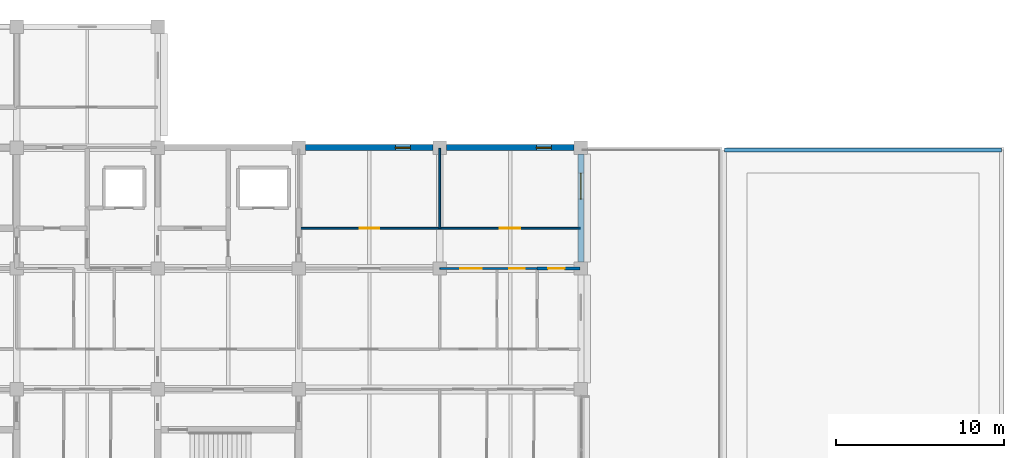
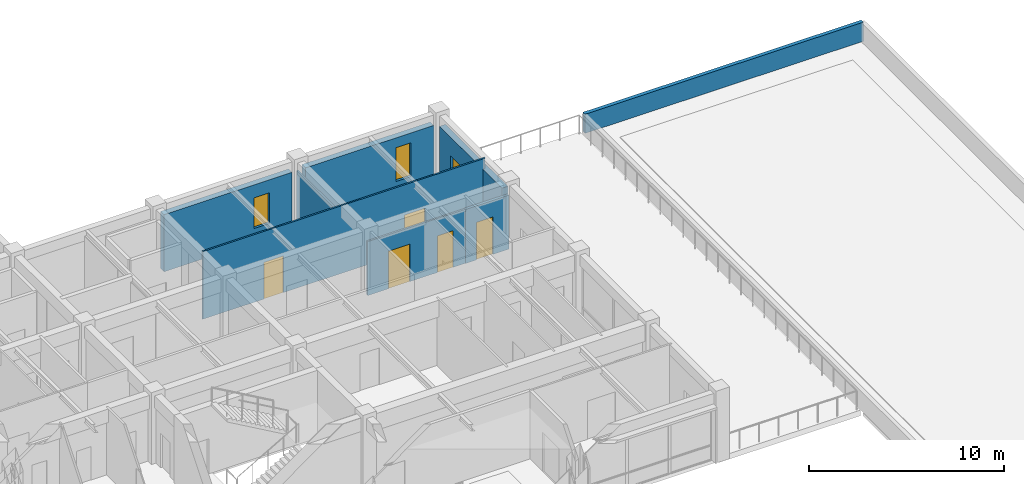
# One storey, part 32 of 40: 8 walls, 5 doors, 3 windows, 8 openings.
"""IFC4 building model written with IfcOpenShell, lengths in metres."""

from ifc_helpers import new_model, si_unit, direction, frame, frame_2d, origin, place, context, subcontext, project, spatial, rectangle, extrude, material, layer, layer_set, type_object, element, fill, save


model = new_model("IFC4")

# Units and contexts
model_context = context("Model", 3, precision=1e-05, world=origin(), true_north=direction((0.0, 1.0)))
body_context = subcontext(model_context, "Body", "Model", "MODEL_VIEW")
ifc_project = project(units=[si_unit("LENGTHUNIT", "METRE"), si_unit("AREAUNIT", "SQUARE_METRE"), si_unit("VOLUMEUNIT", "CUBIC_METRE"), si_unit("PLANEANGLEUNIT", "RADIAN"), si_unit("MASSUNIT", "GRAM", prefix="KILO")], contexts=[model_context])

# Site, building, storey
site_placement = place(None, origin())
site = spatial("IfcSite", under=ifc_project, at=site_placement, CompositionType="ELEMENT")
building_placement = place(site_placement, origin())
building = spatial("IfcBuilding", under=site, at=building_placement, Name="Chengyuan Square Courthouse", CompositionType="ELEMENT")
storey_placement = place(building_placement, frame((0.0, 0.0, 21.60009765625)))
storey = spatial("IfcBuildingStorey", under=building, at=storey_placement, Name="L05", CompositionType="ELEMENT", Elevation=21.60009765625)

# Wall, opening, window
ifc_material_1 = material(Name="Concrete C40", Category="concrete")
ifc_layer_1 = layer(ifc_material_1, 0.35009765625)
ifc_layer_set_1 = layer_set([ifc_layer_1], Name="Concrete C40")
wall_type_1 = type_object("IfcWallType", Name="WL-EW2", PredefinedType="STANDARD", material=ifc_layer_set_1)
wall_1_placement = place(storey_placement, frame((126.39501953125, 108.0, 0.0), z_axis=(0.0, 0.0, 1.0), x_axis=(1.0, 0.0, 0.0)))
wall_1 = element("IfcWall", 1, at=wall_1_placement, inside=storey, type_object=wall_type_1, Name="Exterior Wall WL-L05-E352", PredefinedType="STANDARD", context=body_context, shape_type="SweptSolid", body=[
    extrude(rectangle(XDim=7.60986328125, YDim=0.35009765625, at=frame_2d((3.804931640625, 0.0))), origin(), (0.0, 0.0, 1.0), 3.58984375),
])
opening_1_placement = place(wall_1_placement, frame((5.35498046875, 0.0, 0.85009765625)))
opening_1 = element("IfcOpeningElement", 2, at=opening_1_placement, cuts=wall_1, Name="Opening WN-119", PredefinedType="OPENING", context=body_context, shape_type="SweptSolid", body=[
    extrude(rectangle(XDim=0.89990234375, YDim=1.919921875, at=frame_2d((0.449951171875, 0.9599609375))), frame((0.0, 0.18701171875, 0.0), z_axis=(0.0, -1.0, 0.0), x_axis=(1.0, 0.0, 0.0)), (0.0, 0.0, 1.0), 0.3740234375),
])
ifc_material_2 = material(Name="Thermally Broken Aluminium Triple Low-E Window", Category="aluminium")
window_type_1 = type_object("IfcWindowType", Name="WT-05", PartitioningType="SINGLE_PANEL", PredefinedType="WINDOW", material=ifc_material_2)
window_1_placement = place(opening_1_placement, origin())
window_1 = element("IfcWindow", 3, at=window_1_placement, inside=storey, type_object=window_type_1, Name="Facade Window WN-119", OverallHeight=1.919921875, OverallWidth=0.89990234375, PartitioningType="SINGLE_PANEL", PredefinedType="WINDOW", context=body_context, shape_type="SweptSolid", body=[
    extrude(rectangle(XDim=0.89990234375, YDim=1.919921875, at=frame_2d((0.449951171875, 0.9599609375))), frame((0.0, 0.030029296875, 0.0), z_axis=(0.0, -1.0, 0.0), x_axis=(1.0, 0.0, 0.0)), (0.0, 0.0, 1.0), 0.06005859375),
])
fill(opening_1, window_1)

wall_2_placement = place(storey_placement, frame((134.794921875, 108.0, 0.0), z_axis=(0.0, 0.0, 1.0), x_axis=(1.0, 0.0, 0.0)))
wall_2 = element("IfcWall", 4, at=wall_2_placement, inside=storey, type_object=wall_type_1, Name="Exterior Wall WL-L05-E355", PredefinedType="STANDARD", context=body_context, shape_type="SweptSolid", body=[
    extrude(rectangle(XDim=7.610107421875, YDim=0.35009765625, at=frame_2d((3.80517578125, 0.0))), origin(), (0.0, 0.0, 1.0), 3.58984375),
])
opening_2_placement = place(wall_2_placement, frame((5.35498046875, 0.0, 0.85009765625)))
opening_2 = element("IfcOpeningElement", 5, at=opening_2_placement, cuts=wall_2, Name="Opening WN-121", PredefinedType="OPENING", context=body_context, shape_type="SweptSolid", body=[
    extrude(rectangle(XDim=0.89990234375, YDim=2.1201171875, at=frame_2d((0.449951171875, 1.06005859375))), frame((0.0, 0.18701171875, 0.0), z_axis=(0.0, -1.0, 0.0), x_axis=(1.0, 0.0, 0.0)), (0.0, 0.0, 1.0), 0.3740234375),
])
window_type_2 = type_object("IfcWindowType", Name="WT-06", PartitioningType="SINGLE_PANEL", PredefinedType="WINDOW", material=ifc_material_2)
window_2_placement = place(opening_2_placement, origin())
window_2 = element("IfcWindow", 6, at=window_2_placement, inside=storey, type_object=window_type_2, Name="Facade Window WN-121", OverallHeight=2.1201171875, OverallWidth=0.89990234375, PartitioningType="SINGLE_PANEL", PredefinedType="WINDOW", context=body_context, shape_type="SweptSolid", body=[
    extrude(rectangle(XDim=0.89990234375, YDim=2.1201171875, at=frame_2d((0.449951171875, 1.06005859375))), frame((0.0, 0.030029296875, 0.0), z_axis=(0.0, -1.0, 0.0), x_axis=(1.0, 0.0, 0.0)), (0.0, 0.0, 1.0), 0.06005859375),
])
fill(opening_2, window_2)

wall_3_placement = place(storey_placement, frame((142.800048828125, 101.195068359375, 0.0), z_axis=(0.0, 0.0, 1.0), x_axis=(0.0, 1.0, 0.0)))
wall_3 = element("IfcWall", 7, at=wall_3_placement, inside=storey, type_object=wall_type_1, Name="Exterior Wall WL-L05-E356", PredefinedType="STANDARD", context=body_context, shape_type="SweptSolid", body=[
    extrude(rectangle(XDim=6.409912109375, YDim=0.35009765625, at=frame_2d((3.205078125, 0.0))), origin(), (0.0, 0.0, 1.0), 3.58984375),
])
opening_3_placement = place(wall_3_placement, frame((3.72998046875, 0.0, 0.85009765625)))
opening_3 = element("IfcOpeningElement", 8, at=opening_3_placement, cuts=wall_3, Name="Opening WN-122", PredefinedType="OPENING", context=body_context, shape_type="SweptSolid", body=[
    extrude(rectangle(XDim=1.550048828125, YDim=1.56005859375, at=frame_2d((0.77490234375, 0.780029296875))), frame((0.0, 0.18701171875, 0.0), z_axis=(0.0, -1.0, 0.0), x_axis=(1.0, 0.0, 0.0)), (0.0, 0.0, 1.0), 0.3740234375),
])
window_type_3 = type_object("IfcWindowType", Name="WT-27", PartitioningType="SINGLE_PANEL", PredefinedType="WINDOW", material=ifc_material_2)
window_3_placement = place(opening_3_placement, origin())
window_3 = element("IfcWindow", 9, at=window_3_placement, inside=storey, type_object=window_type_3, Name="Facade Window WN-122", OverallHeight=1.56005859375, OverallWidth=1.550048828125, PartitioningType="SINGLE_PANEL", PredefinedType="WINDOW", context=body_context, shape_type="SweptSolid", body=[
    extrude(rectangle(XDim=1.550048828125, YDim=1.56005859375, at=frame_2d((0.77490234375, 0.780029296875))), frame((0.0, 0.030029296875, 0.0), z_axis=(0.0, -1.0, 0.0), x_axis=(1.0, 0.0, 0.0)), (0.0, 0.0, 1.0), 0.06005859375),
])
fill(opening_3, window_3)

# Wall
ifc_layer_2 = layer(ifc_material_1, 0.219970703125)
ifc_layer_set_2 = layer_set([ifc_layer_2], Name="Concrete C40")
wall_type_2 = type_object("IfcWallType", Name="WL-PR1", PredefinedType="PARAPET", material=ifc_layer_set_2)
wall_4_placement = place(storey_placement, frame((167.860107421875, 107.860107421875, 0.0), z_axis=(0.0, 0.0, 1.0), x_axis=(-1.0, 0.0, 0.0)))
element("IfcWall", 10, at=wall_4_placement, inside=storey, type_object=wall_type_2, Name="Roof Parapet Wall PAR-L05-021", PredefinedType="PARAPET", context=body_context, shape_type="SweptSolid", body=[
    extrude(rectangle(XDim=16.52001953125, YDim=0.219970703125, at=frame_2d((8.260009765625, 0.0))), origin(), (0.0, 0.0, 1.0), 1.199951171875),
])

# Wall, opening, door
ifc_material_3 = material(Name="Deliberation Room Sound-Insulated Partition")
ifc_layer_3 = layer(ifc_material_3, 0.14990234375)
ifc_layer_set_3 = layer_set([ifc_layer_3], Name="Deliberation Room Sound-Insulated Partition")
wall_type_3 = type_object("IfcWallType", Name="WL-PT3", PredefinedType="STANDARD", material=ifc_layer_set_3)
wall_5_placement = place(storey_placement, frame((140.199951171875, 100.800048828125, 0.0), z_axis=(0.0, 0.0, 1.0), x_axis=(1.0, 0.0, 0.0)))
wall_5 = element("IfcWall", 11, at=wall_5_placement, inside=storey, type_object=wall_type_3, Name="Interior Wall WL-L05-I2171", PredefinedType="STANDARD", context=body_context, shape_type="SweptSolid", body=[
    extrude(rectangle(XDim=2.56005859375, YDim=0.14990234375, at=frame_2d((1.280029296875, 0.0))), origin(), (0.0, 0.0, 1.0), 3.389892578125),
])
opening_4_placement = place(wall_5_placement, frame((0.64990234375, 0.0, 0.0)))
opening_4 = element("IfcOpeningElement", 12, at=opening_4_placement, cuts=wall_5, Name="Opening DR-1997", PredefinedType="OPENING", context=body_context, shape_type="SweptSolid", body=[
    extrude(rectangle(XDim=0.97998046875, YDim=2.35009765625, at=frame_2d((0.489990234375, 1.175048828125))), frame((0.0, 0.0869140625, 0.0), z_axis=(0.0, -1.0, 0.0), x_axis=(1.0, 0.0, 0.0)), (0.0, 0.0, 1.0), 0.173828125),
])
ifc_material_4 = material(Name="Acoustic Solid-Core Timber Door", Category="wood")
door_type_1 = type_object("IfcDoorType", Name="DT-40", OperationType="NOTDEFINED", PredefinedType="DOOR", material=ifc_material_4)
door_1_placement = place(opening_4_placement, origin())
door_1 = element("IfcDoor", 13, at=door_1_placement, inside=storey, type_object=door_type_1, Name="Interior Door DR-1997", OperationType="SINGLE_SWING_LEFT", OverallHeight=2.35009765625, OverallWidth=0.97998046875, PredefinedType="DOOR", context=body_context, shape_type="SweptSolid", body=[
    extrude(rectangle(XDim=0.97998046875, YDim=2.35009765625, at=frame_2d((0.489990234375, 1.175048828125))), frame((0.0, 0.02490234375, 0.0), z_axis=(0.0, -1.0, 0.0), x_axis=(1.0, 0.0, 0.0)), (0.0, 0.0, 1.0), 0.050048828125),
])
fill(opening_4, door_1)

# Wall, openings, doors
ifc_material_5 = material(Name="Gypsum Plasterboard Acoustic Stud Partition")
ifc_layer_4 = layer(ifc_material_5, 0.10009765625)
ifc_layer_set_4 = layer_set([ifc_layer_4], Name="Gypsum Plasterboard Acoustic Stud Partition")
wall_type_4 = type_object("IfcWallType", Name="WL-PT6", PredefinedType="STANDARD", material=ifc_layer_set_4)
wall_6_placement = place(storey_placement, frame((134.39990234375, 100.800048828125, 0.0), z_axis=(0.0, 0.0, 1.0), x_axis=(1.0, 0.0, 0.0)))
wall_6 = element("IfcWall", 14, at=wall_6_placement, inside=storey, type_object=wall_type_4, Name="Interior Wall WL-L05-I2170", PredefinedType="STANDARD", context=body_context, shape_type="SweptSolid", body=[
    extrude(rectangle(XDim=5.800048828125, YDim=0.10009765625, at=frame_2d((2.89990234375, 0.0))), origin(), (0.0, 0.0, 1.0), 3.389892578125),
])
opening_5_placement = place(wall_6_placement, frame((1.219970703125, 0.0, 0.0)))
opening_5 = element("IfcOpeningElement", 15, at=opening_5_placement, cuts=wall_6, Name="Opening DR-1995", PredefinedType="OPENING", context=body_context, shape_type="SweptSolid", body=[
    extrude(rectangle(XDim=1.280029296875, YDim=2.35009765625, at=frame_2d((0.64013671875, 1.175048828125))), frame((0.0, 0.06201171875, 0.0), z_axis=(0.0, -1.0, 0.0), x_axis=(1.0, 0.0, 0.0)), (0.0, 0.0, 1.0), 0.1240234375),
])
opening_6_placement = place(wall_6_placement, frame((4.1298828125, 0.0, 0.0)))
opening_6 = element("IfcOpeningElement", 16, at=opening_6_placement, cuts=wall_6, Name="Opening DR-1996", PredefinedType="OPENING", context=body_context, shape_type="SweptSolid", body=[
    extrude(rectangle(XDim=0.93994140625, YDim=2.300048828125, at=frame_2d((0.469970703125, 1.14990234375))), frame((0.0, 0.06201171875, 0.0), z_axis=(0.0, -1.0, 0.0), x_axis=(1.0, 0.0, 0.0)), (0.0, 0.0, 1.0), 0.1240234375),
])
door_type_2 = type_object("IfcDoorType", Name="DT-38", OperationType="NOTDEFINED", PredefinedType="DOOR", material=ifc_material_4)
door_2_placement = place(opening_5_placement, origin())
door_2 = element("IfcDoor", 17, at=door_2_placement, inside=storey, type_object=door_type_2, Name="Interior Door DR-1995", OperationType="SINGLE_SWING_LEFT", OverallHeight=2.35009765625, OverallWidth=1.280029296875, PredefinedType="DOOR", context=body_context, shape_type="SweptSolid", body=[
    extrude(rectangle(XDim=1.280029296875, YDim=2.35009765625, at=frame_2d((0.64013671875, 1.175048828125))), frame((0.0, 0.02490234375, 0.0), z_axis=(0.0, -1.0, 0.0), x_axis=(1.0, 0.0, 0.0)), (0.0, 0.0, 1.0), 0.050048828125),
])
fill(opening_5, door_2)
door_type_3 = type_object("IfcDoorType", Name="DT-39", OperationType="NOTDEFINED", PredefinedType="DOOR", material=ifc_material_4)
door_3_placement = place(opening_6_placement, origin())
door_3 = element("IfcDoor", 18, at=door_3_placement, inside=storey, type_object=door_type_3, Name="Interior Door DR-1996", OperationType="SINGLE_SWING_RIGHT", OverallHeight=2.300048828125, OverallWidth=0.93994140625, PredefinedType="DOOR", context=body_context, shape_type="SweptSolid", body=[
    extrude(rectangle(XDim=0.93994140625, YDim=2.300048828125, at=frame_2d((0.469970703125, 1.14990234375))), frame((0.0, 0.02490234375, 0.0), z_axis=(0.0, -1.0, 0.0), x_axis=(1.0, 0.0, 0.0)), (0.0, 0.0, 1.0), 0.050048828125),
])
fill(opening_6, door_3)

wall_7_placement = place(storey_placement, frame((126.0, 103.199951171875, 0.0), z_axis=(0.0, 0.0, 1.0), x_axis=(1.0, 0.0, 0.0)))
wall_7 = element("IfcWall", 19, at=wall_7_placement, inside=storey, type_object=wall_type_4, Name="Interior Wall WL-L05-I2181", PredefinedType="STANDARD", context=body_context, shape_type="SweptSolid", body=[
    extrude(rectangle(XDim=16.760009765625, YDim=0.10009765625, at=frame_2d((8.3798828125, 0.0))), origin(), (0.0, 0.0, 1.0), 4.239990234375),
])
opening_7_placement = place(wall_7_placement, frame((3.6201171875, 0.0, 0.0)))
opening_7 = element("IfcOpeningElement", 20, at=opening_7_placement, cuts=wall_7, Name="Opening DR-1992", PredefinedType="OPENING", context=body_context, shape_type="SweptSolid", body=[
    extrude(rectangle(XDim=1.159912109375, YDim=2.300048828125, at=frame_2d((0.580078125, 1.14990234375))), frame((0.0, 0.06201171875, 0.0), z_axis=(0.0, -1.0, 0.0), x_axis=(1.0, 0.0, 0.0)), (0.0, 0.0, 1.0), 0.1240234375),
])
opening_8_placement = place(wall_7_placement, frame((11.97998046875, 0.0, 0.0)))
opening_8 = element("IfcOpeningElement", 21, at=opening_8_placement, cuts=wall_7, Name="Opening DR-1993", PredefinedType="OPENING", context=body_context, shape_type="SweptSolid", body=[
    extrude(rectangle(XDim=1.199951171875, YDim=2.35009765625, at=frame_2d((0.60009765625, 1.175048828125))), frame((0.0, 0.06201171875, 0.0), z_axis=(0.0, -1.0, 0.0), x_axis=(1.0, 0.0, 0.0)), (0.0, 0.0, 1.0), 0.1240234375),
])
door_type_4 = type_object("IfcDoorType", Name="DT-35", OperationType="NOTDEFINED", PredefinedType="DOOR", material=ifc_material_4)
door_4_placement = place(opening_7_placement, origin())
door_4 = element("IfcDoor", 22, at=door_4_placement, inside=storey, type_object=door_type_4, Name="Interior Door DR-1992", OperationType="SINGLE_SWING_RIGHT", OverallHeight=2.300048828125, OverallWidth=1.159912109375, PredefinedType="DOOR", context=body_context, shape_type="SweptSolid", body=[
    extrude(rectangle(XDim=1.159912109375, YDim=2.300048828125, at=frame_2d((0.580078125, 1.14990234375))), frame((0.0, 0.02490234375, 0.0), z_axis=(0.0, -1.0, 0.0), x_axis=(1.0, 0.0, 0.0)), (0.0, 0.0, 1.0), 0.050048828125),
])
fill(opening_7, door_4)
door_type_5 = type_object("IfcDoorType", Name="DT-36", OperationType="NOTDEFINED", PredefinedType="DOOR", material=ifc_material_4)
door_5_placement = place(opening_8_placement, origin())
door_5 = element("IfcDoor", 23, at=door_5_placement, inside=storey, type_object=door_type_5, Name="Interior Door DR-1993", OperationType="SINGLE_SWING_LEFT", OverallHeight=2.35009765625, OverallWidth=1.199951171875, PredefinedType="DOOR", context=body_context, shape_type="SweptSolid", body=[
    extrude(rectangle(XDim=1.199951171875, YDim=2.35009765625, at=frame_2d((0.60009765625, 1.175048828125))), frame((0.0, 0.02490234375, 0.0), z_axis=(0.0, -1.0, 0.0), x_axis=(1.0, 0.0, 0.0)), (0.0, 0.0, 1.0), 0.050048828125),
])
fill(opening_8, door_5)

# Wall
wall_8_placement = place(storey_placement, frame((134.39990234375, 103.199951171875, 0.0), z_axis=(0.0, 0.0, 1.0), x_axis=(0.0, 1.0, 0.0)))
element("IfcWall", 24, at=wall_8_placement, inside=storey, type_object=wall_type_4, Name="Interior Wall WL-L05-I2354", PredefinedType="STANDARD", context=body_context, shape_type="SweptSolid", body=[
    extrude(rectangle(XDim=4.760009765625, YDim=0.10009765625, at=frame_2d((2.3798828125, 0.0))), origin(), (0.0, 0.0, 1.0), 3.489990234375),
])

save(model, "model.ifc")
